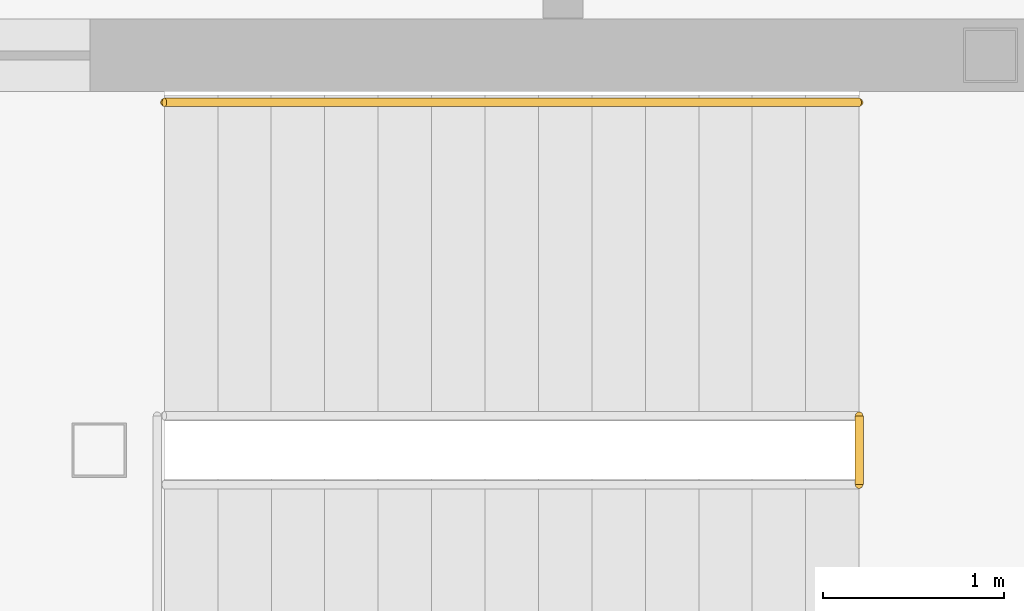
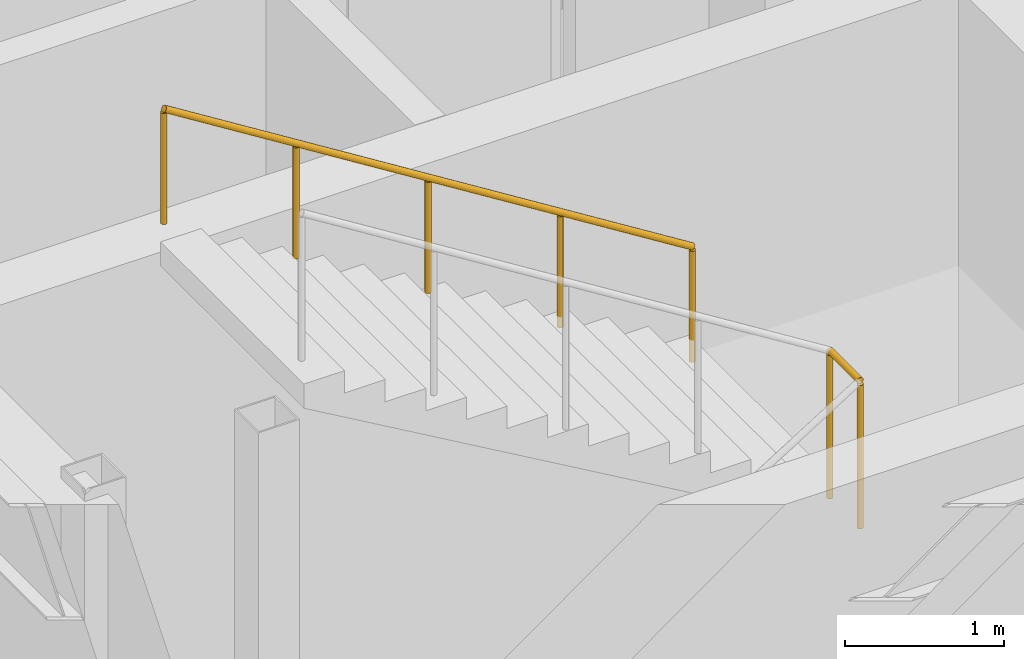
# One storey, part 35 of 37: 2 railings.
"""IFC4 building model written with IfcOpenShell, lengths in metres."""

from ifc_helpers import new_model, si_unit, direction, frame, origin, origin_2d, place, context, subcontext, project, spatial, circle, extrude, material, layer, layer_set, type_object, element, save


model = new_model("IFC4")

# Units and contexts
model_context = context("Model", 3, precision=1e-05, world=origin(), true_north=direction((0.0, 1.0)))
body_context = subcontext(model_context, "Body", "Model", "MODEL_VIEW")
ifc_project = project(units=[si_unit("LENGTHUNIT", "METRE"), si_unit("AREAUNIT", "SQUARE_METRE"), si_unit("VOLUMEUNIT", "CUBIC_METRE"), si_unit("PLANEANGLEUNIT", "RADIAN"), si_unit("MASSUNIT", "GRAM", prefix="KILO")], contexts=[model_context])

# Site, building, storey
site_placement = place(None, origin())
site = spatial("IfcSite", under=ifc_project, at=site_placement, CompositionType="ELEMENT")
building_placement = place(site_placement, origin())
building = spatial("IfcBuilding", under=site, at=building_placement, Name="Naruveol Harbour Congress Hotel", CompositionType="ELEMENT")
storey_placement = place(building_placement, frame((0.0, 0.0, 16.199951171875)))
storey = spatial("IfcBuildingStorey", under=building, at=storey_placement, Name="L03", CompositionType="ELEMENT", Elevation=16.199951171875)

# Railings
ifc_material_1 = material(Name="Stainless Steel 304", Category="steel")
ifc_layer_1 = layer(ifc_material_1, 0.0419921875)
ifc_layer_set_1 = layer_set([ifc_layer_1], Name="Stainless Steel 304")
railing_type_1 = type_object("IfcRailingType", Name="STAIR WALL MOUNTED HANDRAIL 900", PredefinedType="HANDRAIL", material=ifc_layer_set_1)
railing_1_placement = place(storey_placement, frame((123.534912109375, 20.89990234375, 2.400146484375)))
element("IfcRailing", 1, at=railing_1_placement, inside=storey, type_object=railing_type_1, Name="Stair ST3 L03 upper wall handrail", PredefinedType="HANDRAIL", context=body_context, shape_type="SweptSolid", body=[
    extrude(circle(Radius=0.02392578125, at=origin_2d()), frame((0.0, 0.0, 0.8759765625), z_axis=(-0.847694986538, 0.0, 0.530483939246), x_axis=(0.0, -1.0, 0.0)), (0.0, 0.0, 1.0), 4.52392578125),
    extrude(circle(Radius=0.02099609375, at=origin_2d()), origin(), (0.0, 0.0, 1.0), 0.851806640625),
    extrude(circle(Radius=0.02099609375, at=origin_2d()), frame((-0.958740234375, 0.0, 0.60009765625)), (0.0, 0.0, 1.0), 0.851806640625),
    extrude(circle(Radius=0.02099609375, at=origin_2d()), frame((-1.91748046875, 0.0, 1.199951171875)), (0.0, 0.0, 1.0), 0.851806640625),
    extrude(circle(Radius=0.02099609375, at=origin_2d()), frame((-2.876220703125, 0.0, 1.7998046875)), (0.0, 0.0, 1.0), 0.851806640625),
    extrude(circle(Radius=0.02099609375, at=origin_2d()), frame((-3.8349609375, 0.0, 2.39990234375)), (0.0, 0.0, 1.0), 0.851806640625),
])
ifc_material_2 = material(Name="Steel SN490", Category="steel")
ifc_layer_2 = layer(ifc_material_2, 0.044921875)
ifc_layer_set_2 = layer_set([ifc_layer_2], Name="Steel SN490")
railing_type_2 = type_object("IfcRailingType", Name="STAIRWELL STEEL GUARDRAIL 1150", PredefinedType="GUARDRAIL", material=ifc_layer_set_2)
railing_2_placement = place(storey_placement, frame((123.534912109375, 18.7900390625, 2.400146484375)))
element("IfcRailing", 2, at=railing_2_placement, inside=storey, type_object=railing_type_2, Name="Stair ST3 L03 half-landing slot guard", PredefinedType="GUARDRAIL", context=body_context, shape_type="SweptSolid", body=[
    extrude(circle(Radius=0.02392578125, at=origin_2d()), frame((0.0, 0.0, 1.1259765625), z_axis=(0.0, 1.0, 0.0), x_axis=(-1.0, 0.0, 0.0)), (0.0, 0.0, 1.0), 0.3798828125),
    extrude(circle(Radius=0.02099609375, at=origin_2d()), origin(), (0.0, 0.0, 1.0), 1.101806640625),
    extrude(circle(Radius=0.02099609375, at=origin_2d()), frame((0.0, 0.3798828125, 0.0)), (0.0, 0.0, 1.0), 1.101806640625),
])

save(model, "model.ifc")
